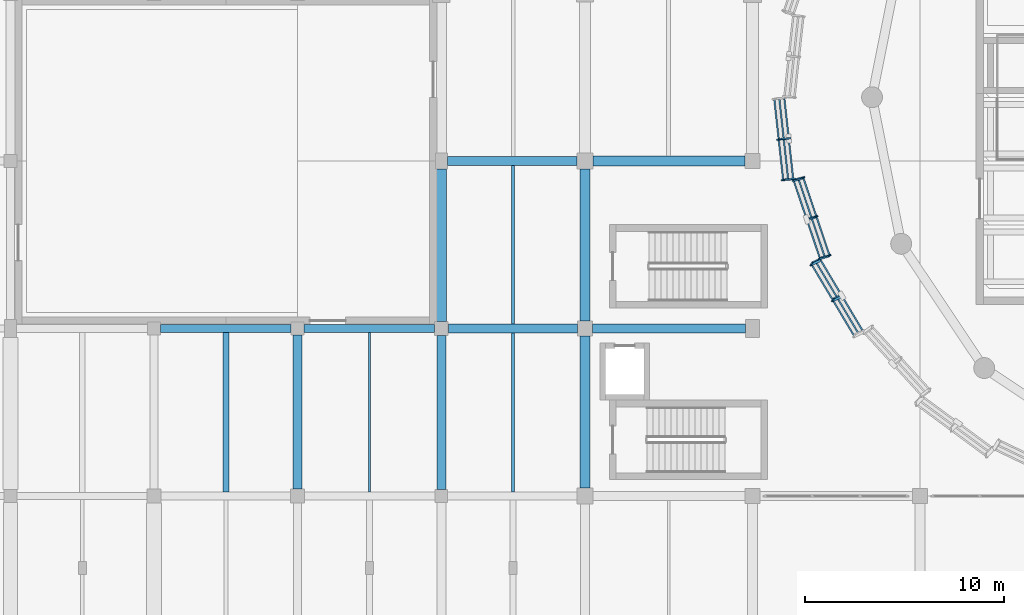
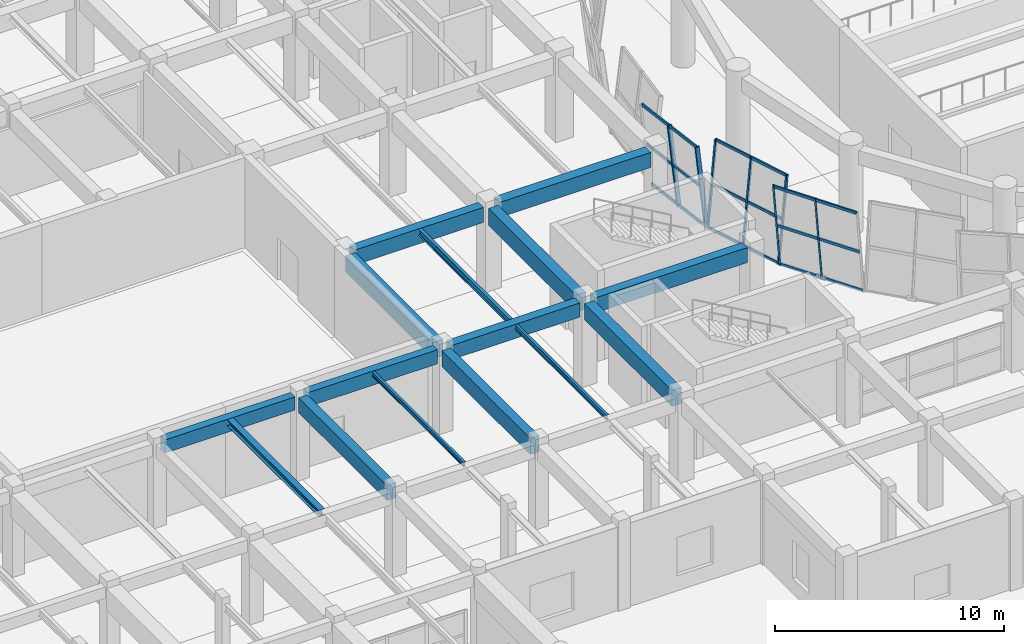
# One storey, part 12 of 72: 25 members, 15 beams, 3 elements without a shape of their own.
"""IFC4 building model written with IfcOpenShell, lengths in metres."""

import ifcopenshell
import ifcopenshell.guid

model = None  # the IFC model being written
_history = None  # IfcOwnerHistory: only IFC2X3 demands one
_inside = {}  # id of a spatial element -> (the spatial element, [elements in it])
_under = {}  # id of a project, library or spatial element -> (it, [spatial elements below it])
_declared = {}  # id of a project -> (the project, [libraries it declares])
_typed = {}  # id of a type object -> (the type object, [elements of that type])
_made_of = {}  # id of a material, layer set ... -> (it, [elements and type objects made of it])


def new_model(schema):
    """Start an empty IFC model of exactly this schema.

    Asked for "IFC4X3", IfcOpenShell would pick the latest addendum, in which some entities
    have other attributes; the version numbers below select the first issue.
    IFC2X3 requires an IfcOwnerHistory on every rooted entity: one is made here for all.
    """
    global model, _history
    if schema == "IFC4X3":
        model = ifcopenshell.file(schema_version=(4, 3, 0, 0))
    else:
        model = ifcopenshell.file(schema=schema)
    _inside.clear()
    _under.clear()
    _declared.clear()
    _typed.clear()
    _made_of.clear()
    _history = None
    if model.schema == "IFC2X3":
        org = make("IfcOrganization", Name="unknown")
        user = make(
            "IfcPersonAndOrganization",
            ThePerson=make("IfcPerson", FamilyName="unknown"),
            TheOrganization=org,
        )
        app = make(
            "IfcApplication",
            ApplicationDeveloper=org,
            Version="unknown",
            ApplicationFullName="unknown",
            ApplicationIdentifier="unknown",
        )
        _history = make(
            "IfcOwnerHistory",
            OwningUser=user,
            OwningApplication=app,
            ChangeAction="ADDED",
            CreationDate=0,
        )
    return model


def make(cls, **values):
    """One entity of the class cls with the attributes given. An attribute that is None is left unset."""
    return model.create_entity(
        cls, **{name: value for name, value in values.items() if value is not None}
    )


def rooted(cls, **values):
    """An entity with a GlobalId (a new one), such as an element, a storey or a relation."""
    return make(cls, GlobalId=ifcopenshell.guid.new(), OwnerHistory=_history, **values)


def si_unit(unit_type, name, prefix=None):
    """IfcSIUnit, for example si_unit("LENGTHUNIT", "METRE", prefix="MILLI")."""
    return make("IfcSIUnit", UnitType=unit_type, Prefix=prefix, Name=name)


def assignment(units):
    """IfcUnitAssignment: the units of a project."""
    return None if units is None else make("IfcUnitAssignment", Units=units)


def point(xyz):
    """IfcCartesianPoint."""
    return None if xyz is None else make("IfcCartesianPoint", Coordinates=xyz)


def direction(xyz):
    """IfcDirection."""
    return None if xyz is None else make("IfcDirection", DirectionRatios=xyz)


def frame(location, z_axis=None, x_axis=None):
    """IfcAxis2Placement3D, a coordinate frame: its origin and axes. An axis left out is left unset."""
    return make(
        "IfcAxis2Placement3D",
        Location=point(location),
        Axis=direction(z_axis),
        RefDirection=direction(x_axis),
    )


def frame_2d(location, x_axis=None):
    """IfcAxis2Placement2D, a coordinate frame in the plane: its origin and x axis."""
    return make(
        "IfcAxis2Placement2D", Location=point(location), RefDirection=direction(x_axis)
    )


def origin():
    """The frame at (0, 0, 0) with its axes left unset."""
    return frame((0.0, 0.0, 0.0))


def origin_2d():
    """The frame at (0, 0) in the plane with its x axis left unset."""
    return frame_2d((0.0, 0.0))


def place(relative_to, where):
    """IfcLocalPlacement: puts the frame where relative to a parent placement (None: the world)."""
    return make(
        "IfcLocalPlacement", PlacementRelTo=relative_to, RelativePlacement=where
    )


def context(
    kind, dimensions, precision=None, world=None, true_north=None, identifier=None
):
    """IfcGeometricRepresentationContext, for example the 3D "Model" context."""
    return make(
        "IfcGeometricRepresentationContext",
        ContextIdentifier=identifier,
        ContextType=kind,
        CoordinateSpaceDimension=dimensions,
        Precision=precision,
        WorldCoordinateSystem=world,
        TrueNorth=true_north,
    )


def subcontext(parent, identifier, kind, view, scale=None):
    """IfcGeometricRepresentationSubContext, for example "Body" below "Model"."""
    return make(
        "IfcGeometricRepresentationSubContext",
        ContextIdentifier=identifier,
        ContextType=kind,
        ParentContext=parent,
        TargetScale=scale,
        TargetView=view,
    )


def project(units=None, contexts=None):
    """IfcProject with its units and contexts."""
    return rooted(
        "IfcProject",
        Name="project",
        RepresentationContexts=contexts,
        UnitsInContext=assignment(units),
    )


def spatial(cls, under=None, at=None, **own):
    """A site, building, storey or space (cls), placed at a placement, below another one or the project."""
    s = rooted(cls, ObjectPlacement=at, **own)
    if under is not None:
        _under.setdefault(under.id(), (under, []))[1].append(s)
    return s


def profile(cls, at=None, kind="AREA", **sizes):
    """A parametric profile (cls). Its sizes go by their IFC names, for example OverallWidth=200.0."""
    return make(cls, ProfileType=kind, Position=at, **sizes)


def rectangle(**sizes):
    """IfcRectangleProfileDef."""
    return profile("IfcRectangleProfileDef", **sizes)


def hollow_rectangle(**sizes):
    """IfcRectangleHollowProfileDef."""
    return profile("IfcRectangleHollowProfileDef", **sizes)


def i_section(**sizes):
    """IfcIShapeProfileDef."""
    return profile("IfcIShapeProfileDef", **sizes)


def extrude(swept, where, along, depth):
    """IfcExtrudedAreaSolid: the profile swept, set in the frame where, extruded along a direction by depth."""
    return make(
        "IfcExtrudedAreaSolid",
        SweptArea=swept,
        Position=where,
        ExtrudedDirection=direction(along),
        Depth=depth,
    )


def shape(context_of_items, identifier, shape_type, items):
    """IfcShapeRepresentation: the items that make up one representation, for example the "Body"."""
    return make(
        "IfcShapeRepresentation",
        ContextOfItems=context_of_items,
        RepresentationIdentifier=identifier,
        RepresentationType=shape_type,
        Items=items,
    )


def material(Name=None, Category=None):
    """IfcMaterial."""
    return make("IfcMaterial", Name=Name, Category=Category)


def material_profile(
    of_material, cross_section, Name=None, Category=None, Priority=None
):
    """IfcMaterialProfile: a cross section and its material."""
    return make(
        "IfcMaterialProfile",
        Name=Name,
        Material=of_material,
        Profile=cross_section,
        Priority=Priority,
        Category=Category,
    )


def profile_set(profiles, Name=None, composite=None):
    """IfcMaterialProfileSet."""
    return make(
        "IfcMaterialProfileSet",
        Name=Name,
        MaterialProfiles=profiles,
        CompositeProfile=composite,
    )


def made_of(thing, what):
    """Note that an element or type object is made of a material, layer set ...; save() writes the relation."""
    if what is not None:
        _made_of.setdefault(what.id(), (what, []))[1].append(thing)
    return thing


def type_object(cls, material=None, **own):
    """A type object (cls), such as IfcWallType, which elements share."""
    return made_of(rooted(cls, **own), material)


def element(
    cls,
    number,
    at=None,
    inside=None,
    cuts=None,
    type_object=None,
    material=None,
    context=None,
    identifier="Body",
    shape_type=None,
    held_by="IfcProductDefinitionShape",
    body=None,
    shapes=None,
    **own,
):
    """One element of the class cls, such as IfcWall. Its Tag is "e" and its number.

    at: its placement. inside: the storey or other place that contains it. cuts: it is an
    opening in that element (IfcRelVoidsElement). A single representation is given by context,
    identifier, shape_type and body (its items); several are given by shapes. held_by: the class
    of the entity that holds the representations. save() writes the other relations.
    """
    e = rooted(cls, Tag="e%d" % number, ObjectPlacement=at, **own)
    if body is not None:
        shapes = [shape(context, identifier, shape_type, body)]
    if shapes is not None:
        e.Representation = make(held_by, Representations=shapes)
    if inside is not None:
        _inside.setdefault(inside.id(), (inside, []))[1].append(e)
    if cuts is not None:
        rooted(
            "IfcRelVoidsElement", RelatingBuildingElement=cuts, RelatedOpeningElement=e
        )
    if type_object is not None:
        _typed.setdefault(type_object.id(), (type_object, []))[1].append(e)
    return made_of(e, material)


def aggregate(whole, parts):
    """IfcRelAggregates: a whole, such as a stair, and the parts it consists of."""
    return rooted("IfcRelAggregates", RelatingObject=whole, RelatedObjects=parts)


def save(model, path):
    """Write the relations noted so far, then the file.

    IfcRelAggregates (storeys below a building ...), IfcRelContainedInSpatialStructure (elements
    in a storey), IfcRelDefinesByType, IfcRelAssociatesMaterial and IfcRelDeclares: one each for
    every whole, place, type object, material and project.
    """
    for whole, parts in _under.values():
        aggregate(whole, parts)
    for where, things in _inside.values():
        rooted(
            "IfcRelContainedInSpatialStructure",
            RelatedElements=things,
            RelatingStructure=where,
        )
    for kind, things in _typed.values():
        rooted("IfcRelDefinesByType", RelatedObjects=things, RelatingType=kind)
    for what, things in _made_of.values():
        rooted("IfcRelAssociatesMaterial", RelatedObjects=things, RelatingMaterial=what)
    for by, libraries in _declared.values():
        rooted("IfcRelDeclares", RelatingContext=by, RelatedDefinitions=libraries)
    model.write(path)


model = new_model("IFC4")

# Units and contexts
model_context = context("Model", 3, precision=1e-05, world=origin(), true_north=direction((0.0, 1.0)))
body_context = subcontext(model_context, "Body", "Model", "MODEL_VIEW")
ifc_project = project(units=[si_unit("LENGTHUNIT", "METRE"), si_unit("AREAUNIT", "SQUARE_METRE"), si_unit("VOLUMEUNIT", "CUBIC_METRE"), si_unit("PLANEANGLEUNIT", "RADIAN"), si_unit("MASSUNIT", "GRAM", prefix="KILO")], contexts=[model_context])

# Site, building, storey
site_placement = place(None, origin())
site = spatial("IfcSite", under=ifc_project, at=site_placement, CompositionType="ELEMENT")
building_placement = place(site_placement, origin())
building = spatial("IfcBuilding", under=site, at=building_placement, Name="Korsvaeld Concert Hall", CompositionType="ELEMENT")
storey_placement = place(building_placement, origin())
storey = spatial("IfcBuildingStorey", under=building, at=storey_placement, Name="L00", CompositionType="ELEMENT", Elevation=0.0)

# Beams
ifc_material_1 = material(Name="Concrete C35/45", Category="concrete")
ifc_material_profile_1 = material_profile(ifc_material_1, rectangle(XDim=0.39990234375, YDim=0.699951171875, at=origin_2d()), Name="RC 400x700")
ifc_profile_set_1 = profile_set([ifc_material_profile_1], Name="Concrete C35/45")
beam_type_1 = type_object("IfcBeamType", Name="BM-RC-400x700", PredefinedType="T_BEAM", material=ifc_profile_set_1)
beam_1_placement = place(storey_placement, frame((29.125, 51.60009765625, 4.090087890625), z_axis=(1.0, 0.0, 0.0), x_axis=(0.0, 1.0, 0.0)))
element("IfcBeam", 1, at=beam_1_placement, inside=storey, type_object=beam_type_1, Name="Primary girder 5-6/H L00", PredefinedType="T_BEAM", context=body_context, shape_type="SweptSolid", body=[
    extrude(rectangle(XDim=0.39990234375, YDim=0.699951171875, at=origin_2d()), origin(), (0.0, 0.0, 1.0), 6.550048828125),
])
ifc_material_profile_2 = material_profile(ifc_material_1, rectangle(XDim=0.39990234375, YDim=0.75, at=origin_2d()), Name="RC 400x750")
ifc_profile_set_2 = profile_set([ifc_material_profile_2], Name="Concrete C35/45")
beam_type_2 = type_object("IfcBeamType", Name="BM-RC-400x750", PredefinedType="T_BEAM", material=ifc_profile_set_2)
beam_2_placement = place(storey_placement, frame((36.324951171875, 51.60009765625, 4.06494140625), z_axis=(1.0, 0.0, 0.0), x_axis=(0.0, 1.0, 0.0)))
element("IfcBeam", 2, at=beam_2_placement, inside=storey, type_object=beam_type_2, Name="Primary girder 6-7/H L00", PredefinedType="T_BEAM", context=body_context, shape_type="SweptSolid", body=[
    extrude(rectangle(XDim=0.39990234375, YDim=0.75, at=origin_2d()), origin(), (0.0, 0.0, 1.0), 6.525146484375),
])
ifc_material_profile_3 = material_profile(ifc_material_1, rectangle(XDim=0.449951171875, YDim=0.75, at=origin_2d()), Name="RC 450x750")
ifc_profile_set_3 = profile_set([ifc_material_profile_3], Name="Concrete C35/45")
beam_type_3 = type_object("IfcBeamType", Name="BM-RC-450x750", PredefinedType="T_BEAM", material=ifc_profile_set_3)
beam_3_placement = place(storey_placement, frame((43.550048828125, 51.60009765625, 4.06494140625), z_axis=(1.0, 0.0, 0.0), x_axis=(0.0, 1.0, 0.0)))
element("IfcBeam", 3, at=beam_3_placement, inside=storey, type_object=beam_type_3, Name="Primary girder 7-8/H L00", PredefinedType="T_BEAM", context=body_context, shape_type="SweptSolid", body=[
    extrude(rectangle(XDim=0.449951171875, YDim=0.75, at=origin_2d()), origin(), (0.0, 0.0, 1.0), 6.474853515625),
])
ifc_material_profile_4 = material_profile(ifc_material_1, rectangle(XDim=0.449951171875, YDim=0.800048828125, at=origin_2d()), Name="RC 450x800")
ifc_profile_set_4 = profile_set([ifc_material_profile_4], Name="Concrete C35/45")
beam_type_4 = type_object("IfcBeamType", Name="BM-RC-450x800", PredefinedType="T_BEAM", material=ifc_profile_set_4)
beam_4_placement = place(storey_placement, frame((50.77490234375, 51.60009765625, 4.0400390625), z_axis=(1.0, 0.0, 0.0), x_axis=(0.0, 1.0, 0.0)))
element("IfcBeam", 4, at=beam_4_placement, inside=storey, type_object=beam_type_4, Name="Primary girder 8-9/H L00", PredefinedType="T_BEAM", context=body_context, shape_type="SweptSolid", body=[
    extrude(rectangle(XDim=0.449951171875, YDim=0.800048828125, at=origin_2d()), origin(), (0.0, 0.0, 1.0), 7.675048828125),
])
beam_5_placement = place(storey_placement, frame((43.5, 60.0, 4.0400390625), z_axis=(1.0, 0.0, 0.0), x_axis=(0.0, 1.0, 0.0)))
element("IfcBeam", 5, at=beam_5_placement, inside=storey, type_object=beam_type_4, Name="Primary girder 7-8/J L00", PredefinedType="T_BEAM", context=body_context, shape_type="SweptSolid", body=[
    extrude(rectangle(XDim=0.449951171875, YDim=0.800048828125, at=origin_2d()), origin(), (0.0, 0.0, 1.0), 6.5),
])
beam_6_placement = place(storey_placement, frame((36.0, 43.550048828125, 4.0400390625), z_axis=(0.0, 1.0, 0.0), x_axis=(-1.0, 0.0, 0.0)))
element("IfcBeam", 6, at=beam_6_placement, inside=storey, type_object=beam_type_4, Name="Primary girder 6/G-H L00", PredefinedType="T_BEAM", context=body_context, shape_type="SweptSolid", body=[
    extrude(rectangle(XDim=0.449951171875, YDim=0.800048828125, at=origin_2d()), origin(), (0.0, 0.0, 1.0), 7.724853515625),
])
ifc_material_2 = material(Name="Concrete C40/50", Category="concrete")
ifc_material_profile_5 = material_profile(ifc_material_2, rectangle(XDim=0.449951171875, YDim=0.85009765625, at=origin_2d()), Name="RC 450x850")
ifc_profile_set_5 = profile_set([ifc_material_profile_5], Name="Concrete C40/50")
beam_type_5 = type_object("IfcBeamType", Name="BM-RC-450x850", PredefinedType="T_BEAM", material=ifc_profile_set_5)
beam_7_placement = place(storey_placement, frame((43.199951171875, 43.52490234375, 4.014892578125), z_axis=(0.0, 1.0, 0.0), x_axis=(-1.0, 0.0, 0.0)))
element("IfcBeam", 7, at=beam_7_placement, inside=storey, type_object=beam_type_5, Name="Primary girder 7/G-H L00", PredefinedType="T_BEAM", context=body_context, shape_type="SweptSolid", body=[
    extrude(rectangle(XDim=0.449951171875, YDim=0.85009765625, at=origin_2d()), origin(), (0.0, 0.0, 1.0), 7.72509765625),
])
ifc_material_profile_6 = material_profile(ifc_material_2, rectangle(XDim=0.5, YDim=0.800048828125, at=origin_2d()), Name="RC 500x800")
ifc_profile_set_6 = profile_set([ifc_material_profile_6], Name="Concrete C40/50")
beam_type_6 = type_object("IfcBeamType", Name="BM-RC-500x800", PredefinedType="T_BEAM", material=ifc_profile_set_6)
beam_8_placement = place(storey_placement, frame((50.800048828125, 60.0, 4.0400390625), z_axis=(1.0, 0.0, 0.0), x_axis=(0.0, 1.0, 0.0)))
element("IfcBeam", 8, at=beam_8_placement, inside=storey, type_object=beam_type_6, Name="Primary girder 8-9/J L00", PredefinedType="T_BEAM", context=body_context, shape_type="SweptSolid", body=[
    extrude(rectangle(XDim=0.5, YDim=0.800048828125, at=origin_2d()), origin(), (0.0, 0.0, 1.0), 7.625),
])
ifc_material_profile_7 = material_profile(ifc_material_2, rectangle(XDim=0.5, YDim=0.85009765625, at=origin_2d()), Name="RC 500x850")
ifc_profile_set_7 = profile_set([ifc_material_profile_7], Name="Concrete C40/50")
beam_type_7 = type_object("IfcBeamType", Name="BM-RC-500x850", PredefinedType="T_BEAM", material=ifc_profile_set_7)
beam_9_placement = place(storey_placement, frame((43.199951171875, 51.949951171875, 4.014892578125), z_axis=(0.0, 1.0, 0.0), x_axis=(-1.0, 0.0, 0.0)))
element("IfcBeam", 9, at=beam_9_placement, inside=storey, type_object=beam_type_7, Name="Primary girder 7/H-J L00", PredefinedType="T_BEAM", context=body_context, shape_type="SweptSolid", body=[
    extrude(rectangle(XDim=0.5, YDim=0.85009765625, at=origin_2d()), origin(), (0.0, 0.0, 1.0), 7.650146484375),
])
beam_10_placement = place(storey_placement, frame((50.39990234375, 43.60009765625, 4.014892578125), z_axis=(0.0, 1.0, 0.0), x_axis=(-1.0, 0.0, 0.0)))
element("IfcBeam", 10, at=beam_10_placement, inside=storey, type_object=beam_type_7, Name="Primary girder 8/G-H L00", PredefinedType="T_BEAM", context=body_context, shape_type="SweptSolid", body=[
    extrude(rectangle(XDim=0.5, YDim=0.85009765625, at=origin_2d()), origin(), (0.0, 0.0, 1.0), 7.625),
])
ifc_material_profile_8 = material_profile(ifc_material_2, rectangle(XDim=0.5, YDim=0.89990234375, at=origin_2d()), Name="RC 500x900")
ifc_profile_set_8 = profile_set([ifc_material_profile_8], Name="Concrete C40/50")
beam_type_8 = type_object("IfcBeamType", Name="BM-RC-500x900", PredefinedType="T_BEAM", material=ifc_profile_set_8)
beam_11_placement = place(storey_placement, frame((50.39990234375, 51.97509765625, 3.989990234375), z_axis=(0.0, 1.0, 0.0), x_axis=(-1.0, 0.0, 0.0)))
element("IfcBeam", 11, at=beam_11_placement, inside=storey, type_object=beam_type_8, Name="Primary girder 8/H-J L00", PredefinedType="T_BEAM", context=body_context, shape_type="SweptSolid", body=[
    extrude(rectangle(XDim=0.5, YDim=0.89990234375, at=origin_2d()), origin(), (0.0, 0.0, 1.0), 7.625),
])
ifc_material_3 = material(Name="Steel S355J2", Category="steel")
ifc_material_profile_9 = material_profile(ifc_material_3, i_section(OverallWidth=0.300048828125, OverallDepth=0.35009765625, WebThickness=0.010009765625, FlangeThickness=0.017578125, FilletRadius=0.027099609375, at=origin_2d()), Name="HEA 360")
ifc_profile_set_9 = profile_set([ifc_material_profile_9], Name="Steel S355J2")
beam_type_9 = type_object("IfcBeamType", Name="BM-STL-HEA360", PredefinedType="BEAM", material=ifc_profile_set_9)
beam_12_placement = place(storey_placement, frame((32.39990234375, 43.39990234375, 4.264892578125), z_axis=(0.0, 1.0, 0.0), x_axis=(-1.0, 0.0, 0.0)))
element("IfcBeam", 12, at=beam_12_placement, inside=storey, type_object=beam_type_9, Name="Secondary steel floor beam 5-6/G L00", PredefinedType="BEAM", context=body_context, shape_type="SweptSolid", body=[
    extrude(i_section(OverallWidth=0.300048828125, OverallDepth=0.35009765625, WebThickness=0.010009765625, FlangeThickness=0.017578125, FilletRadius=0.027099609375, at=origin_2d()), origin(), (0.0, 0.0, 1.0), 8.0),
])
ifc_material_profile_10 = material_profile(ifc_material_3, i_section(OverallWidth=0.1201171875, OverallDepth=0.239990234375, WebThickness=0.006103515625, FlangeThickness=0.009765625, FilletRadius=0.014892578125, at=origin_2d()), Name="IPE 240")
ifc_profile_set_10 = profile_set([ifc_material_profile_10], Name="Steel S355J2")
beam_type_10 = type_object("IfcBeamType", Name="BM-STL-IPE240", PredefinedType="JOIST", material=ifc_profile_set_10)
beam_13_placement = place(storey_placement, frame((39.60009765625, 43.39990234375, 4.320068359375), z_axis=(0.0, 1.0, 0.0), x_axis=(-1.0, 0.0, 0.0)))
element("IfcBeam", 13, at=beam_13_placement, inside=storey, type_object=beam_type_10, Name="Secondary steel floor beam 6-7/G L00", PredefinedType="JOIST", context=body_context, shape_type="SweptSolid", body=[
    extrude(i_section(OverallWidth=0.1201171875, OverallDepth=0.239990234375, WebThickness=0.006103515625, FlangeThickness=0.009765625, FilletRadius=0.014892578125, at=origin_2d()), origin(), (0.0, 0.0, 1.0), 8.0),
])
ifc_material_profile_11 = material_profile(ifc_material_3, i_section(OverallWidth=0.135009765625, OverallDepth=0.27001953125, WebThickness=0.006591796875, FlangeThickness=0.01025390625, FilletRadius=0.014892578125, at=origin_2d()), Name="IPE 270")
ifc_profile_set_11 = profile_set([ifc_material_profile_11], Name="Steel S355J2")
beam_type_11 = type_object("IfcBeamType", Name="BM-STL-IPE270", PredefinedType="JOIST", material=ifc_profile_set_11)
beam_14_placement = place(storey_placement, frame((46.800048828125, 43.39990234375, 4.304931640625), z_axis=(0.0, 1.0, 0.0), x_axis=(-1.0, 0.0, 0.0)))
element("IfcBeam", 14, at=beam_14_placement, inside=storey, type_object=beam_type_11, Name="Secondary steel floor beam 7-8/G L00", PredefinedType="JOIST", context=body_context, shape_type="SweptSolid", body=[
    extrude(i_section(OverallWidth=0.135009765625, OverallDepth=0.27001953125, WebThickness=0.006591796875, FlangeThickness=0.01025390625, FilletRadius=0.014892578125, at=origin_2d()), origin(), (0.0, 0.0, 1.0), 7.97509765625),
])
ifc_material_profile_12 = material_profile(ifc_material_3, i_section(OverallWidth=0.159912109375, OverallDepth=0.330078125, WebThickness=0.007568359375, FlangeThickness=0.011474609375, FilletRadius=0.01806640625, at=origin_2d()), Name="IPE 330")
ifc_profile_set_12 = profile_set([ifc_material_profile_12], Name="Steel S355J2")
beam_type_12 = type_object("IfcBeamType", Name="BM-STL-IPE330", PredefinedType="BEAM", material=ifc_profile_set_12)
beam_15_placement = place(storey_placement, frame((46.800048828125, 51.824951171875, 4.27490234375), z_axis=(0.0, 1.0, 0.0), x_axis=(-1.0, 0.0, 0.0)))
element("IfcBeam", 15, at=beam_15_placement, inside=storey, type_object=beam_type_12, Name="Secondary steel floor beam 7-8/H L00", PredefinedType="BEAM", context=body_context, shape_type="SweptSolid", body=[
    extrude(i_section(OverallWidth=0.159912109375, OverallDepth=0.330078125, WebThickness=0.007568359375, FlangeThickness=0.011474609375, FilletRadius=0.01806640625, at=origin_2d()), origin(), (0.0, 0.0, 1.0), 7.949951171875),
])

# Curtain wall, members
ifc_material_4 = material(Name="Anodised bronze and ceramic-fritted safety glass", Category="glass")
curtain_wall_type_1 = type_object("IfcCurtainWallType", Name="CW-TYPE-02", PredefinedType="USERDEFINED", material=ifc_material_4)
curtain_wall_1_placement = place(storey_placement, origin())
curtain_wall_1 = element("IfcCurtainWall", 16, at=curtain_wall_1_placement, inside=storey, type_object=curtain_wall_type_1, Name="Crystal curtain-wall facet L00 F18", ObjectType="CURTAIN WALL", PredefinedType="USERDEFINED")
ifc_material_5 = material(Name="Anodised architectural bronze aluminium", Category="aluminium")
ifc_material_profile_13 = material_profile(ifc_material_5, hollow_rectangle(XDim=0.074951171875, YDim=0.179931640625, WallThickness=0.0048828125, at=origin_2d()), Name="CWM 180x75x5")
ifc_profile_set_13 = profile_set([ifc_material_profile_13], Name="Anodised architectural bronze aluminium")
member_type_1 = type_object("IfcMemberType", Name="CWM-BRONZE-180x75", PredefinedType="MULLION", material=ifc_profile_set_13)
member_1_placement = place(storey_placement, frame((60.865478515625, 59.028564453125, 0.0), z_axis=(0.109211736062, 0.029780096596, 0.993572313701), x_axis=(-0.555917957022, 0.830447902565, 0.036214723319)))
member_1 = element("IfcMember", 17, at=member_1_placement, type_object=member_type_1, Name="CW-CRYS-L00-F18 crystal mullion 1", PredefinedType="MULLION", context=body_context, shape_type="SweptSolid", body=[
    extrude(hollow_rectangle(XDim=0.074951171875, YDim=0.179931640625, WallThickness=0.0048828125, at=origin_2d()), origin(), (0.0, 0.0, 1.0), 4.509033203125),
])
member_2_placement = place(storey_placement, frame((61.52490234375, 57.07568359375, 0.0), z_axis=(0.109211912002, 0.029725998854, 0.993573914346), x_axis=(-0.555535114655, 0.830704252875, 0.036210228416)))
member_2 = element("IfcMember", 18, at=member_2_placement, type_object=member_type_1, Name="CW-CRYS-L00-F18 crystal mullion 2", PredefinedType="MULLION", context=body_context, shape_type="SweptSolid", body=[
    extrude(hollow_rectangle(XDim=0.074951171875, YDim=0.179931640625, WallThickness=0.0048828125, at=origin_2d()), origin(), (0.0, 0.0, 1.0), 4.509033203125),
])
member_3_placement = place(storey_placement, frame((62.184326171875, 55.12255859375, 0.0), z_axis=(0.109265235411, 0.029779920454, 0.993566436967), x_axis=(-0.555811687158, 0.830518312269, 0.036231221413)))
member_3 = element("IfcMember", 19, at=member_3_placement, type_object=member_type_1, Name="CW-CRYS-L00-F18 crystal mullion 3", PredefinedType="MULLION", context=body_context, shape_type="SweptSolid", body=[
    extrude(hollow_rectangle(XDim=0.074951171875, YDim=0.179931640625, WallThickness=0.0048828125, at=origin_2d()), origin(), (0.0, 0.0, 1.0), 4.509033203125),
])

curtain_wall_type_2 = type_object("IfcCurtainWallType", Name="CW-TYPE-01", PredefinedType="USERDEFINED", material=ifc_material_4)
curtain_wall_2_placement = place(storey_placement, origin())
curtain_wall_2 = element("IfcCurtainWall", 20, at=curtain_wall_2_placement, inside=storey, type_object=curtain_wall_type_2, Name="Crystal curtain-wall facet L00 F17", ObjectType="CURTAIN WALL", PredefinedType="USERDEFINED")
ifc_material_profile_14 = material_profile(ifc_material_5, hollow_rectangle(XDim=0.074951171875, YDim=0.219970703125, WallThickness=0.006103515625, at=origin_2d()), Name="CWM 220x75x6")
ifc_profile_set_14 = profile_set([ifc_material_profile_14], Name="Anodised architectural bronze aluminium")
member_type_2 = type_object("IfcMemberType", Name="CWM-BRONZE-220x75", PredefinedType="MULLION", material=ifc_profile_set_14)
member_4_placement = place(storey_placement, frame((60.626708984375, 61.132080078125, 0.0), z_axis=(-0.112731567062, -0.009962828213, 0.99357553102), x_axis=(0.195384625536, -0.980649116842, 0.012335223589)))
member_4 = element("IfcMember", 21, at=member_4_placement, type_object=member_type_2, Name="CW-CRYS-L00-F17 crystal mullion 2", PredefinedType="MULLION", context=body_context, shape_type="SweptSolid", body=[
    extrude(hollow_rectangle(XDim=0.074951171875, YDim=0.219970703125, WallThickness=0.006103515625, at=origin_2d()), origin(), (0.0, 0.0, 1.0), 4.509033203125),
])
member_5_placement = place(storey_placement, frame((60.849365234375, 59.101318359375, 0.0), z_axis=(-0.112731567062, -0.009962828213, 0.99357553102), x_axis=(0.195384625536, -0.980649116842, 0.012335223589)))
member_5 = element("IfcMember", 22, at=member_5_placement, type_object=member_type_2, Name="CW-CRYS-L00-F17 crystal mullion 3", PredefinedType="MULLION", context=body_context, shape_type="SweptSolid", body=[
    extrude(hollow_rectangle(XDim=0.074951171875, YDim=0.219970703125, WallThickness=0.006103515625, at=origin_2d()), origin(), (0.0, 0.0, 1.0), 4.509033203125),
])

curtain_wall_type_3 = type_object("IfcCurtainWallType", Name="CW-TYPE-03", PredefinedType="USERDEFINED", material=ifc_material_4)
curtain_wall_3_placement = place(storey_placement, origin())
curtain_wall_3 = element("IfcCurtainWall", 23, at=curtain_wall_3_placement, inside=storey, type_object=curtain_wall_type_3, Name="Crystal curtain-wall facet L00 F19", ObjectType="CURTAIN WALL", PredefinedType="USERDEFINED")
member_6_placement = place(storey_placement, frame((62.215576171875, 55.054931640625, 0.0), z_axis=(-0.102064294294, -0.049001690364, 0.993570185831), x_axis=(0.829955472375, -0.554817257188, 0.057894084342)))
member_6 = element("IfcMember", 24, at=member_6_placement, type_object=member_type_2, Name="CW-CRYS-L00-F19 crystal mullion 1", PredefinedType="MULLION", context=body_context, shape_type="SweptSolid", body=[
    extrude(hollow_rectangle(XDim=0.074951171875, YDim=0.219970703125, WallThickness=0.006103515625, at=origin_2d()), origin(), (0.0, 0.0, 1.0), 4.509033203125),
])
member_7_placement = place(storey_placement, frame((63.286865234375, 53.25439453125, 0.0), z_axis=(-0.102064294294, -0.049001690364, 0.993570185831), x_axis=(0.829955472375, -0.554817257188, 0.057894084342)))
member_7 = element("IfcMember", 25, at=member_7_placement, type_object=member_type_2, Name="CW-CRYS-L00-F19 crystal mullion 2", PredefinedType="MULLION", context=body_context, shape_type="SweptSolid", body=[
    extrude(hollow_rectangle(XDim=0.074951171875, YDim=0.219970703125, WallThickness=0.006103515625, at=origin_2d()), origin(), (0.0, 0.0, 1.0), 4.509033203125),
])

# Member
ifc_material_profile_15 = material_profile(ifc_material_5, hollow_rectangle(XDim=0.074951171875, YDim=0.14990234375, WallThickness=0.0048828125, at=origin_2d()), Name="CWT 150x75x5")
ifc_profile_set_15 = profile_set([ifc_material_profile_15], Name="Anodised architectural bronze aluminium")
member_type_3 = type_object("IfcMemberType", Name="CWT-BRONZE-150x75", PredefinedType="USERDEFINED", material=ifc_profile_set_15)
member_8_placement = place(storey_placement, frame((60.40478515625, 63.125244140625, 0.030029296875), z_axis=(0.108920048755, -0.994050513294, 0.0), x_axis=(0.994050513294, 0.108920048755, 0.0)))
member_8 = element("IfcMember", 26, at=member_8_placement, type_object=member_type_3, Name="CW-CRYS-L00-F17 crystal transom 1.1", ObjectType="TRANSOM", PredefinedType="USERDEFINED", context=body_context, shape_type="SweptSolid", body=[
    extrude(hollow_rectangle(XDim=0.074951171875, YDim=0.14990234375, WallThickness=0.0048828125, at=origin_2d()), origin(), (0.0, 0.0, 1.0), 1.968017578125),
])

member_9_placement = place(storey_placement, frame((60.154052734375, 63.10302734375, 2.239990234375), z_axis=(0.108920048755, -0.994050513294, 0.0), x_axis=(0.994050513294, 0.108920048755, 0.0)))
member_9 = element("IfcMember", 27, at=member_9_placement, type_object=member_type_3, Name="CW-CRYS-L00-F17 crystal transom 1.2", ObjectType="TRANSOM", PredefinedType="USERDEFINED", context=body_context, shape_type="SweptSolid", body=[
    extrude(hollow_rectangle(XDim=0.074951171875, YDim=0.14990234375, WallThickness=0.0048828125, at=origin_2d()), origin(), (0.0, 0.0, 1.0), 1.968017578125),
])

member_10_placement = place(storey_placement, frame((59.903076171875, 63.080810546875, 4.449951171875), z_axis=(0.10905607732, -0.99403559896, 0.0), x_axis=(0.99403559896, 0.10905607732, 0.0)))
member_10 = element("IfcMember", 28, at=member_10_placement, type_object=member_type_3, Name="CW-CRYS-L00-F17 crystal transom 1.3", ObjectType="TRANSOM", PredefinedType="USERDEFINED", context=body_context, shape_type="SweptSolid", body=[
    extrude(hollow_rectangle(XDim=0.074951171875, YDim=0.14990234375, WallThickness=0.0048828125, at=origin_2d()), origin(), (0.0, 0.0, 1.0), 1.9677734375),
])

member_11_placement = place(storey_placement, frame((60.62744140625, 61.094482421875, 0.030029296875), z_axis=(0.10905607732, -0.99403559896, 0.0), x_axis=(0.99403559896, 0.10905607732, 0.0)))
member_11 = element("IfcMember", 29, at=member_11_placement, type_object=member_type_3, Name="CW-CRYS-L00-F17 crystal transom 2.1", ObjectType="TRANSOM", PredefinedType="USERDEFINED", context=body_context, shape_type="SweptSolid", body=[
    extrude(hollow_rectangle(XDim=0.074951171875, YDim=0.14990234375, WallThickness=0.0048828125, at=origin_2d()), origin(), (0.0, 0.0, 1.0), 1.9677734375),
])

member_12_placement = place(storey_placement, frame((60.376708984375, 61.072265625, 2.239990234375), z_axis=(0.108933482058, -0.994049041289, 0.0), x_axis=(0.994049041289, 0.108933482058, 0.0)))
member_12 = element("IfcMember", 30, at=member_12_placement, type_object=member_type_3, Name="CW-CRYS-L00-F17 crystal transom 2.2", ObjectType="TRANSOM", PredefinedType="USERDEFINED", context=body_context, shape_type="SweptSolid", body=[
    extrude(hollow_rectangle(XDim=0.074951171875, YDim=0.14990234375, WallThickness=0.0048828125, at=origin_2d()), origin(), (0.0, 0.0, 1.0), 1.9677734375),
])

member_13_placement = place(storey_placement, frame((60.125732421875, 61.050048828125, 4.449951171875), z_axis=(0.10905607732, -0.99403559896, 0.0), x_axis=(0.99403559896, 0.10905607732, 0.0)))
member_13 = element("IfcMember", 31, at=member_13_placement, type_object=member_type_3, Name="CW-CRYS-L00-F17 crystal transom 2.3", ObjectType="TRANSOM", PredefinedType="USERDEFINED", context=body_context, shape_type="SweptSolid", body=[
    extrude(hollow_rectangle(XDim=0.074951171875, YDim=0.14990234375, WallThickness=0.0048828125, at=origin_2d()), origin(), (0.0, 0.0, 1.0), 1.9677734375),
])

aggregate(curtain_wall_2, [member_4, member_5, member_8, member_9, member_10, member_11, member_12, member_13])

member_14_placement = place(storey_placement, frame((60.880859375, 58.993896484375, 0.030029296875), z_axis=(0.319949676143, -0.947434538497, 0.0), x_axis=(0.947434538497, 0.319949676143, 0.0)))
member_14 = element("IfcMember", 32, at=member_14_placement, type_object=member_type_3, Name="CW-CRYS-L00-F18 crystal transom 1.1", ObjectType="TRANSOM", PredefinedType="USERDEFINED", context=body_context, shape_type="SweptSolid", body=[
    extrude(hollow_rectangle(XDim=0.074951171875, YDim=0.14990234375, WallThickness=0.0048828125, at=origin_2d()), origin(), (0.0, 0.0, 1.0), 1.986328125),
])

member_15_placement = place(storey_placement, frame((61.123779296875, 59.06005859375, 2.239990234375), z_axis=(0.319949676143, -0.947434538497, 0.0), x_axis=(0.947434538497, 0.319949676143, 0.0)))
member_15 = element("IfcMember", 33, at=member_15_placement, type_object=member_type_3, Name="CW-CRYS-L00-F18 crystal transom 1.2", ObjectType="TRANSOM", PredefinedType="USERDEFINED", context=body_context, shape_type="SweptSolid", body=[
    extrude(hollow_rectangle(XDim=0.074951171875, YDim=0.14990234375, WallThickness=0.0048828125, at=origin_2d()), origin(), (0.0, 0.0, 1.0), 1.986328125),
])

member_16_placement = place(storey_placement, frame((61.36669921875, 59.126220703125, 4.449951171875), z_axis=(0.319949676143, -0.947434538497, 0.0), x_axis=(0.947434538497, 0.319949676143, 0.0)))
member_16 = element("IfcMember", 34, at=member_16_placement, type_object=member_type_3, Name="CW-CRYS-L00-F18 crystal transom 1.3", ObjectType="TRANSOM", PredefinedType="USERDEFINED", context=body_context, shape_type="SweptSolid", body=[
    extrude(hollow_rectangle(XDim=0.074951171875, YDim=0.14990234375, WallThickness=0.0048828125, at=origin_2d()), origin(), (0.0, 0.0, 1.0), 1.986328125),
])

member_17_placement = place(storey_placement, frame((61.540283203125, 57.041015625, 0.030029296875), z_axis=(0.319949676143, -0.947434538497, 0.0), x_axis=(0.947434538497, 0.319949676143, 0.0)))
member_17 = element("IfcMember", 35, at=member_17_placement, type_object=member_type_3, Name="CW-CRYS-L00-F18 crystal transom 2.1", ObjectType="TRANSOM", PredefinedType="USERDEFINED", context=body_context, shape_type="SweptSolid", body=[
    extrude(hollow_rectangle(XDim=0.074951171875, YDim=0.14990234375, WallThickness=0.0048828125, at=origin_2d()), origin(), (0.0, 0.0, 1.0), 1.986328125),
])

member_18_placement = place(storey_placement, frame((61.783203125, 57.107177734375, 2.239990234375), z_axis=(0.319949676143, -0.947434538497, 0.0), x_axis=(0.947434538497, 0.319949676143, 0.0)))
member_18 = element("IfcMember", 36, at=member_18_placement, type_object=member_type_3, Name="CW-CRYS-L00-F18 crystal transom 2.2", ObjectType="TRANSOM", PredefinedType="USERDEFINED", context=body_context, shape_type="SweptSolid", body=[
    extrude(hollow_rectangle(XDim=0.074951171875, YDim=0.14990234375, WallThickness=0.0048828125, at=origin_2d()), origin(), (0.0, 0.0, 1.0), 1.986328125),
])

member_19_placement = place(storey_placement, frame((62.026123046875, 57.17333984375, 4.449951171875), z_axis=(0.319949676143, -0.947434538497, 0.0), x_axis=(0.947434538497, 0.319949676143, 0.0)))
member_19 = element("IfcMember", 37, at=member_19_placement, type_object=member_type_3, Name="CW-CRYS-L00-F18 crystal transom 2.3", ObjectType="TRANSOM", PredefinedType="USERDEFINED", context=body_context, shape_type="SweptSolid", body=[
    extrude(hollow_rectangle(XDim=0.074951171875, YDim=0.14990234375, WallThickness=0.0048828125, at=origin_2d()), origin(), (0.0, 0.0, 1.0), 1.986328125),
])

aggregate(curtain_wall_1, [member_1, member_2, member_3, member_14, member_15, member_16, member_17, member_18, member_19])

member_20_placement = place(storey_placement, frame((62.231689453125, 55.021240234375, 0.030029296875), z_axis=(0.511328750939, -0.859385192136, 0.0), x_axis=(0.859385192136, 0.511328750939, 0.0)))
member_20 = element("IfcMember", 38, at=member_20_placement, type_object=member_type_3, Name="CW-CRYS-L00-F19 crystal transom 1.1", ObjectType="TRANSOM", PredefinedType="USERDEFINED", context=body_context, shape_type="SweptSolid", body=[
    extrude(hollow_rectangle(XDim=0.074951171875, YDim=0.14990234375, WallThickness=0.0048828125, at=origin_2d()), origin(), (0.0, 0.0, 1.0), 2.020263671875),
])

member_21_placement = place(storey_placement, frame((62.004638671875, 54.912109375, 2.239990234375), z_axis=(0.511381861684, -0.859353589357, 0.0), x_axis=(0.859353589357, 0.511381861684, 0.0)))
member_21 = element("IfcMember", 39, at=member_21_placement, type_object=member_type_3, Name="CW-CRYS-L00-F19 crystal transom 1.2", ObjectType="TRANSOM", PredefinedType="USERDEFINED", context=body_context, shape_type="SweptSolid", body=[
    extrude(hollow_rectangle(XDim=0.074951171875, YDim=0.14990234375, WallThickness=0.0048828125, at=origin_2d()), origin(), (0.0, 0.0, 1.0), 2.02001953125),
])

member_22_placement = place(storey_placement, frame((61.777587890625, 54.80322265625, 4.449951171875), z_axis=(0.511381861684, -0.859353589357, 0.0), x_axis=(0.859353589357, 0.511381861684, 0.0)))
member_22 = element("IfcMember", 40, at=member_22_placement, type_object=member_type_3, Name="CW-CRYS-L00-F19 crystal transom 1.3", ObjectType="TRANSOM", PredefinedType="USERDEFINED", context=body_context, shape_type="SweptSolid", body=[
    extrude(hollow_rectangle(XDim=0.074951171875, YDim=0.14990234375, WallThickness=0.0048828125, at=origin_2d()), origin(), (0.0, 0.0, 1.0), 2.02001953125),
])

member_23_placement = place(storey_placement, frame((63.302978515625, 53.220703125, 0.030029296875), z_axis=(0.511381861684, -0.859353589357, 0.0), x_axis=(0.859353589357, 0.511381861684, 0.0)))
member_23 = element("IfcMember", 41, at=member_23_placement, type_object=member_type_3, Name="CW-CRYS-L00-F19 crystal transom 2.1", ObjectType="TRANSOM", PredefinedType="USERDEFINED", context=body_context, shape_type="SweptSolid", body=[
    extrude(hollow_rectangle(XDim=0.074951171875, YDim=0.14990234375, WallThickness=0.0048828125, at=origin_2d()), origin(), (0.0, 0.0, 1.0), 2.02001953125),
])

member_24_placement = place(storey_placement, frame((63.075927734375, 53.11181640625, 2.239990234375), z_axis=(0.511381861684, -0.859353589357, 0.0), x_axis=(0.859353589357, 0.511381861684, 0.0)))
member_24 = element("IfcMember", 42, at=member_24_placement, type_object=member_type_3, Name="CW-CRYS-L00-F19 crystal transom 2.2", ObjectType="TRANSOM", PredefinedType="USERDEFINED", context=body_context, shape_type="SweptSolid", body=[
    extrude(hollow_rectangle(XDim=0.074951171875, YDim=0.14990234375, WallThickness=0.0048828125, at=origin_2d()), origin(), (0.0, 0.0, 1.0), 2.02001953125),
])

member_25_placement = place(storey_placement, frame((62.848876953125, 53.0029296875, 4.449951171875), z_axis=(0.511328750939, -0.859385192136, 0.0), x_axis=(0.859385192136, 0.511328750939, 0.0)))
member_25 = element("IfcMember", 43, at=member_25_placement, type_object=member_type_3, Name="CW-CRYS-L00-F19 crystal transom 2.3", ObjectType="TRANSOM", PredefinedType="USERDEFINED", context=body_context, shape_type="SweptSolid", body=[
    extrude(hollow_rectangle(XDim=0.074951171875, YDim=0.14990234375, WallThickness=0.0048828125, at=origin_2d()), origin(), (0.0, 0.0, 1.0), 2.020263671875),
])

aggregate(curtain_wall_3, [member_6, member_7, member_20, member_21, member_22, member_23, member_24, member_25])

save(model, "model.ifc")
